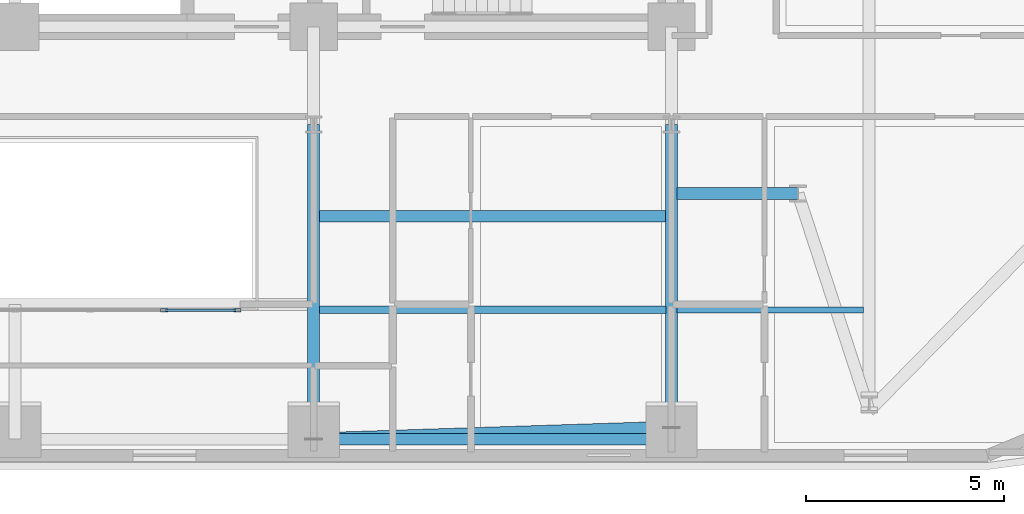
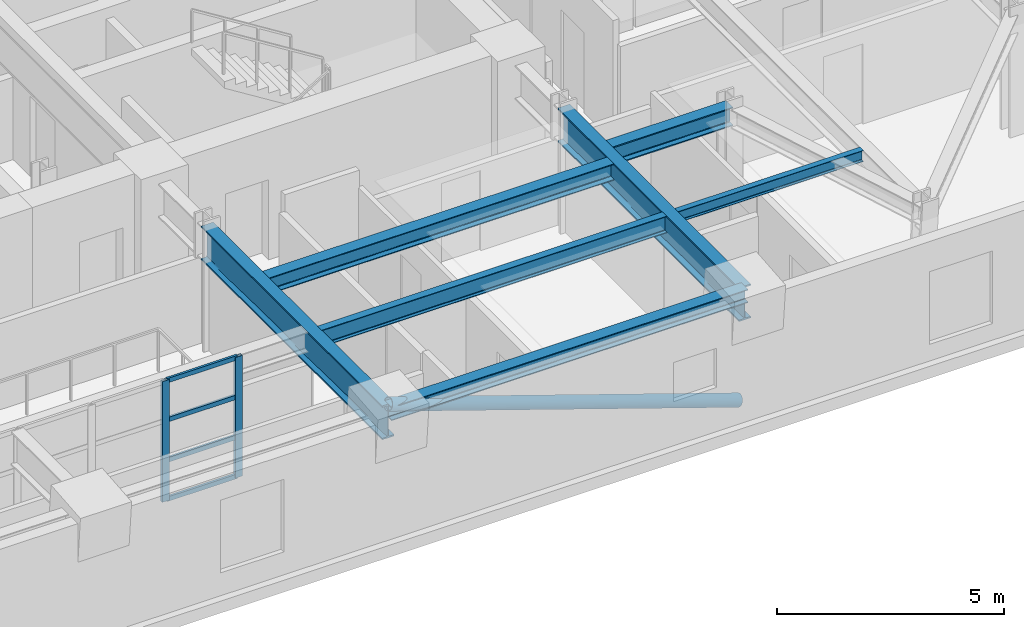
# One storey, part 5 of 16: 7 beams, 7 members, 1 element without a shape of its own.
"""IFC4 building model written with IfcOpenShell, lengths in metres."""

from ifc_helpers import new_model, si_unit, direction, frame, origin, origin_2d, place, context, subcontext, project, spatial, hollow_rectangle, hollow_circle, i_section, extrude, material, layer, layer_set, material_profile, profile_set, type_object, element, aggregate, save


model = new_model("IFC4")

# Units and contexts
model_context = context("Model", 3, precision=1e-05, world=origin(), true_north=direction((0.0, 1.0)))
body_context = subcontext(model_context, "Body", "Model", "MODEL_VIEW")
ifc_project = project(units=[si_unit("LENGTHUNIT", "METRE"), si_unit("AREAUNIT", "SQUARE_METRE"), si_unit("VOLUMEUNIT", "CUBIC_METRE"), si_unit("PLANEANGLEUNIT", "RADIAN"), si_unit("MASSUNIT", "GRAM", prefix="KILO")], contexts=[model_context])

# Site, building, storey
site_placement = place(None, origin())
site = spatial("IfcSite", under=ifc_project, at=site_placement, CompositionType="ELEMENT")
building_placement = place(site_placement, origin())
building = spatial("IfcBuilding", under=site, at=building_placement, Name="Zarnavel Station Tower", CompositionType="ELEMENT")
storey_placement = place(building_placement, frame((0.0, 0.0, 94.300048828125)))
storey = spatial("IfcBuildingStorey", under=building, at=storey_placement, Name="L25", CompositionType="ELEMENT", Elevation=94.300048828125)

# Curtain wall, members
ifc_material_1 = material(Name="Aluminium Dark Anodised and Solar-Control Glass", Category="aluminium")
ifc_layer = layer(ifc_material_1, 0.179931640625)
ifc_layer_set = layer_set([ifc_layer], Name="CWS3")
curtain_wall_type = type_object("IfcCurtainWallType", Name="CWS3", PredefinedType="NOTDEFINED", material=ifc_layer_set)
curtain_wall_placement = place(storey_placement, origin())
curtain_wall = element("IfcCurtainWall", 1, at=curtain_wall_placement, inside=storey, type_object=curtain_wall_type, Name="L25 Curtain Wall CWS3-L25-AS", PredefinedType="NOTDEFINED")
ifc_material_2 = material(Name="Steel S355J2 (Black Fluoropolymer Coated)", Category="steel")
ifc_material_profile_1 = material_profile(ifc_material_2, hollow_rectangle(XDim=0.080078125, YDim=0.179931640625, WallThickness=0.00634765625, at=origin_2d()), Name="RHS180x80x6.3")
ifc_profile_set_1 = profile_set([ifc_material_profile_1], Name="Steel S355J2 (Black Fluoropolymer Coated)")
member_type_1 = type_object("IfcMemberType", Name="CWS3_MUL", PredefinedType="MULLION", material=ifc_profile_set_1)
member_1_placement = place(storey_placement, frame((32.566650390625, 20.64990234375, 0.0), z_axis=(0.0, 0.0, 1.0), x_axis=(0.0, 1.0, 0.0)))
member_1 = element("IfcMember", 2, at=member_1_placement, type_object=member_type_1, Name="CW3 mullion 6", PredefinedType="MULLION", context=body_context, shape_type="SweptSolid", body=[
    extrude(hollow_rectangle(XDim=0.080078125, YDim=0.179931640625, WallThickness=0.00634765625, at=origin_2d()), origin(), (0.0, 0.0, 1.0), 3.239990234375),
])
member_2_placement = place(storey_placement, frame((34.419921875, 20.64990234375, 0.0), z_axis=(0.0, 0.0, 1.0), x_axis=(0.0, 1.0, 0.0)))
member_2 = element("IfcMember", 3, at=member_2_placement, type_object=member_type_1, Name="CW3 mullion 7", PredefinedType="MULLION", context=body_context, shape_type="SweptSolid", body=[
    extrude(hollow_rectangle(XDim=0.080078125, YDim=0.179931640625, WallThickness=0.00634765625, at=origin_2d()), origin(), (0.0, 0.0, 1.0), 3.239990234375),
])
ifc_material_3 = material(Name="Steel S355J2 (Black Fluoropolymer Coated)", Category="steel")
ifc_material_profile_2 = material_profile(ifc_material_3, hollow_rectangle(XDim=0.06005859375, YDim=0.1201171875, WallThickness=0.0048828125, at=origin_2d()), Name="RHS120x60x5")
ifc_profile_set_2 = profile_set([ifc_material_profile_2], Name="Steel S355J2 (Black Fluoropolymer Coated)")
member_type_2 = type_object("IfcMemberType", Name="CWS3_TRN", PredefinedType="USERDEFINED", material=ifc_profile_set_2)
member_3_placement = place(storey_placement, frame((32.5966796875, 20.64990234375, 0.030029296875), z_axis=(1.0, 0.0, 0.0), x_axis=(0.0, 1.0, 0.0)))
member_3 = element("IfcMember", 4, at=member_3_placement, type_object=member_type_2, Name="CW3 transom 6.1", ObjectType="TRANSOM", PredefinedType="USERDEFINED", context=body_context, shape_type="SweptSolid", body=[
    extrude(hollow_rectangle(XDim=0.06005859375, YDim=0.1201171875, WallThickness=0.0048828125, at=origin_2d()), origin(), (0.0, 0.0, 1.0), 1.793212890625),
])
member_4_placement = place(storey_placement, frame((32.5966796875, 20.64990234375, 1.079833984375), z_axis=(1.0, 0.0, 0.0), x_axis=(0.0, 1.0, 0.0)))
member_4 = element("IfcMember", 5, at=member_4_placement, type_object=member_type_2, Name="CW3 transom 6.2", ObjectType="TRANSOM", PredefinedType="USERDEFINED", context=body_context, shape_type="SweptSolid", body=[
    extrude(hollow_rectangle(XDim=0.06005859375, YDim=0.1201171875, WallThickness=0.0048828125, at=origin_2d()), origin(), (0.0, 0.0, 1.0), 1.793212890625),
])
member_5_placement = place(storey_placement, frame((32.5966796875, 20.64990234375, 2.159912109375), z_axis=(1.0, 0.0, 0.0), x_axis=(0.0, 1.0, 0.0)))
member_5 = element("IfcMember", 6, at=member_5_placement, type_object=member_type_2, Name="CW3 transom 6.3", ObjectType="TRANSOM", PredefinedType="USERDEFINED", context=body_context, shape_type="SweptSolid", body=[
    extrude(hollow_rectangle(XDim=0.06005859375, YDim=0.1201171875, WallThickness=0.0048828125, at=origin_2d()), origin(), (0.0, 0.0, 1.0), 1.793212890625),
])
member_6_placement = place(storey_placement, frame((32.5966796875, 20.64990234375, 3.2099609375), z_axis=(1.0, 0.0, 0.0), x_axis=(0.0, 1.0, 0.0)))
member_6 = element("IfcMember", 7, at=member_6_placement, type_object=member_type_2, Name="CW3 transom 6.4", ObjectType="TRANSOM", PredefinedType="USERDEFINED", context=body_context, shape_type="SweptSolid", body=[
    extrude(hollow_rectangle(XDim=0.06005859375, YDim=0.1201171875, WallThickness=0.0048828125, at=origin_2d()), origin(), (0.0, 0.0, 1.0), 1.793212890625),
])
aggregate(curtain_wall, [member_1, member_2, member_3, member_4, member_5, member_6])

# Member
ifc_material_4 = material(Name="Steel S355J2", Category="steel")
ifc_material_profile_3 = material_profile(ifc_material_4, hollow_circle(Radius=0.161865234375, WallThickness=0.012451171875, at=origin_2d()), Name="CHS323.9x12.5")
ifc_profile_set_3 = profile_set([ifc_material_profile_3], Name="Steel S355J2")
member_type_3 = type_object("IfcMemberType", Name="DB_EXT_CHS324", PredefinedType="BRACE", material=ifc_profile_set_3)
member_7_placement = place(storey_placement, frame((45.39990234375, 17.6826171875, 0.0), z_axis=(-0.94104157458, -0.030540439576, 0.336909537505), x_axis=(0.032436790978, -0.999473788846, 0.0)))
element("IfcMember", 8, at=member_7_placement, inside=storey, type_object=member_type_3, Name="L25 Persian Exterior Diagonal Frame Brace 2", PredefinedType="BRACE", context=body_context, shape_type="SweptSolid", body=[
    extrude(hollow_circle(Radius=0.161865234375, WallThickness=0.012451171875, at=origin_2d()), origin(), (0.0, 0.0, 1.0), 9.61669921875),
])

# Beams
ifc_material_5 = material(Name="Steel S355J2", Category="steel")
ifc_material_profile_4 = material_profile(ifc_material_5, i_section(OverallWidth=0.300048828125, OverallDepth=0.360107421875, WebThickness=0.012451171875, FlangeThickness=0.0224609375, FilletRadius=0.027099609375, at=origin_2d()), Name="HEB360")
ifc_profile_set_4 = profile_set([ifc_material_profile_4], Name="Steel S355J2")
beam_type_1 = type_object("IfcBeamType", Name="EB_HEB360", PredefinedType="SPANDREL", material=ifc_profile_set_4)
beam_1_placement = place(storey_placement, frame((36.35009765625, 17.388916015625, 3.06005859375), z_axis=(1.0, 0.0, 0.0), x_axis=(0.0, 1.0, 0.0)))
element("IfcBeam", 9, at=beam_1_placement, inside=storey, type_object=beam_type_1, Name="L25 South Raked Spandrel 4", PredefinedType="SPANDREL", context=body_context, shape_type="SweptSolid", body=[
    extrude(i_section(OverallWidth=0.300048828125, OverallDepth=0.360107421875, WebThickness=0.012451171875, FlangeThickness=0.0224609375, FilletRadius=0.027099609375, at=origin_2d()), origin(), (0.0, 0.0, 1.0), 9.0498046875),
])
ifc_material_6 = material(Name="Steel S355J2", Category="steel")
ifc_material_profile_5 = material_profile(ifc_material_6, i_section(OverallWidth=0.300048828125, OverallDepth=0.43994140625, WebThickness=0.011474609375, FlangeThickness=0.02099609375, FilletRadius=0.027099609375, at=origin_2d()), Name="HEA450")
ifc_profile_set_5 = profile_set([ifc_material_profile_5], Name="Steel S355J2")
beam_type_2 = type_object("IfcBeamType", Name="FB_HEA450", PredefinedType="BEAM", material=ifc_profile_set_5)
beam_2_placement = place(storey_placement, frame((36.4951171875, 23.029541015625, 3.02001953125), z_axis=(1.0, 0.0, 0.0), x_axis=(0.0, 1.0, 0.0)))
element("IfcBeam", 10, at=beam_2_placement, inside=storey, type_object=beam_type_2, Name="L25 East Bay Beam 2", PredefinedType="BEAM", context=body_context, shape_type="SweptSolid", body=[
    extrude(i_section(OverallWidth=0.300048828125, OverallDepth=0.43994140625, WebThickness=0.011474609375, FlangeThickness=0.02099609375, FilletRadius=0.027099609375, at=origin_2d()), origin(), (0.0, 0.0, 1.0), 8.759765625),
])
ifc_material_7 = material(Name="Steel S355J2", Category="steel")
ifc_material_profile_6 = material_profile(ifc_material_7, i_section(OverallWidth=0.18994140625, OverallDepth=0.449951171875, WebThickness=0.009521484375, FlangeThickness=0.0146484375, FilletRadius=0.02099609375, at=origin_2d()), Name="IPE450")
ifc_profile_set_6 = profile_set([ifc_material_profile_6], Name="Steel S355J2")
beam_type_3 = type_object("IfcBeamType", Name="FB_IPE450", PredefinedType="BEAM", material=ifc_profile_set_6)
beam_3_placement = place(storey_placement, frame((36.4951171875, 20.6591796875, 3.014892578125), z_axis=(1.0, 0.0, 0.0), x_axis=(0.0, 1.0, 0.0)))
element("IfcBeam", 11, at=beam_3_placement, inside=storey, type_object=beam_type_3, Name="L25 East Bay Beam 1", PredefinedType="BEAM", context=body_context, shape_type="SweptSolid", body=[
    extrude(i_section(OverallWidth=0.18994140625, OverallDepth=0.449951171875, WebThickness=0.009521484375, FlangeThickness=0.0146484375, FilletRadius=0.02099609375, at=origin_2d()), origin(), (0.0, 0.0, 1.0), 8.759765625),
])
ifc_material_8 = material(Name="Steel S355J2", Category="steel")
ifc_material_profile_7 = material_profile(ifc_material_8, i_section(OverallWidth=0.300048828125, OverallDepth=0.5, WebThickness=0.014404296875, FlangeThickness=0.028076171875, FilletRadius=0.027099609375, at=origin_2d()), Name="HEB500")
ifc_profile_set_7 = profile_set([ifc_material_profile_7], Name="Steel S355J2")
beam_type_4 = type_object("IfcBeamType", Name="FG_HEB500", PredefinedType="USERDEFINED", material=ifc_profile_set_7)
beam_4_placement = place(storey_placement, frame((45.544921875, 23.60009765625, 2.989990234375), z_axis=(1.0, 0.0, 0.0), x_axis=(0.0, 1.0, 0.0)))
element("IfcBeam", 12, at=beam_4_placement, inside=storey, type_object=beam_type_4, Name="L25 East Wing South Tie 1", ObjectType="GIRDER", PredefinedType="USERDEFINED", context=body_context, shape_type="SweptSolid", body=[
    extrude(i_section(OverallWidth=0.300048828125, OverallDepth=0.5, WebThickness=0.014404296875, FlangeThickness=0.028076171875, FilletRadius=0.027099609375, at=origin_2d()), origin(), (0.0, 0.0, 1.0), 3.05517578125),
])
ifc_material_9 = material(Name="Steel S355J2", Category="steel")
ifc_material_profile_8 = material_profile(ifc_material_9, i_section(OverallWidth=0.14990234375, OverallDepth=0.300048828125, WebThickness=0.007080078125, FlangeThickness=0.0107421875, FilletRadius=0.014892578125, at=origin_2d()), Name="IPE300")
ifc_profile_set_8 = profile_set([ifc_material_profile_8], Name="Steel S355J2")
beam_type_5 = type_object("IfcBeamType", Name="FJ_IPE300", PredefinedType="JOIST", material=ifc_profile_set_8)
beam_5_placement = place(storey_placement, frame((45.544921875, 20.6591796875, 3.08984375), z_axis=(1.0, 0.0, 0.0), x_axis=(0.0, 1.0, 0.0)))
element("IfcBeam", 13, at=beam_5_placement, inside=storey, type_object=beam_type_5, Name="L25 East Wing Joist 1", PredefinedType="JOIST", context=body_context, shape_type="SweptSolid", body=[
    extrude(i_section(OverallWidth=0.14990234375, OverallDepth=0.300048828125, WebThickness=0.007080078125, FlangeThickness=0.0107421875, FilletRadius=0.014892578125, at=origin_2d()), origin(), (0.0, 0.0, 1.0), 4.7099609375),
])
ifc_material_10 = material(Name="Steel S460M", Category="steel")
ifc_material_profile_9 = material_profile(ifc_material_10, i_section(OverallWidth=0.302001953125, OverallDepth=0.909912109375, WebThickness=0.02099609375, FlangeThickness=0.0400390625, FilletRadius=0.030029296875, at=origin_2d()), Name="HEM900")
ifc_profile_set_9 = profile_set([ifc_material_profile_9], Name="Steel S460M")
beam_type_6 = type_object("IfcBeamType", Name="TG_HEM900", PredefinedType="USERDEFINED", material=ifc_profile_set_9)
for number, where, z_axis, x_axis, name in (
    (14, (36.35009765625, 17.388916015625, 2.784912109375), (0.0, 1.0, 0.0), (-1.0, 0.0, 0.0), "L25 South-Zone NS Girder 4"),
    (15, (45.39990234375, 17.388916015625, 2.784912109375), (0.0, 1.0, 0.0), (-1.0, 0.0, 0.0), "L25 South-Zone NS Girder 5"),
):
    element("IfcBeam", number, at=place(storey_placement, frame(where, z_axis=z_axis, x_axis=x_axis)), inside=storey, type_object=beam_type_6, Name=name, ObjectType="GIRDER", PredefinedType="USERDEFINED", context=body_context, shape_type="SweptSolid", body=[
        extrude(i_section(OverallWidth=0.302001953125, OverallDepth=0.909912109375, WebThickness=0.02099609375, FlangeThickness=0.0400390625, FilletRadius=0.030029296875, at=origin_2d()), origin(), (0.0, 0.0, 1.0), 7.961181640625),
    ])

save(model, "model.ifc")
